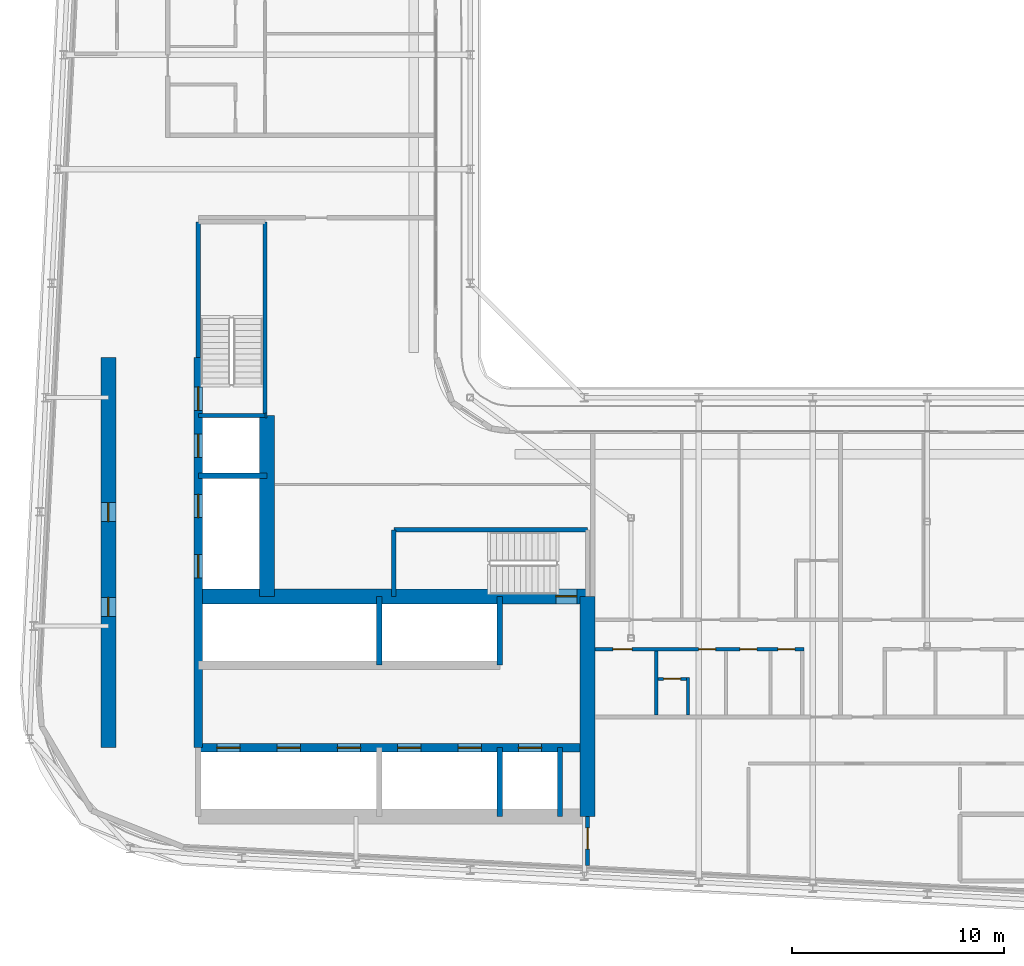
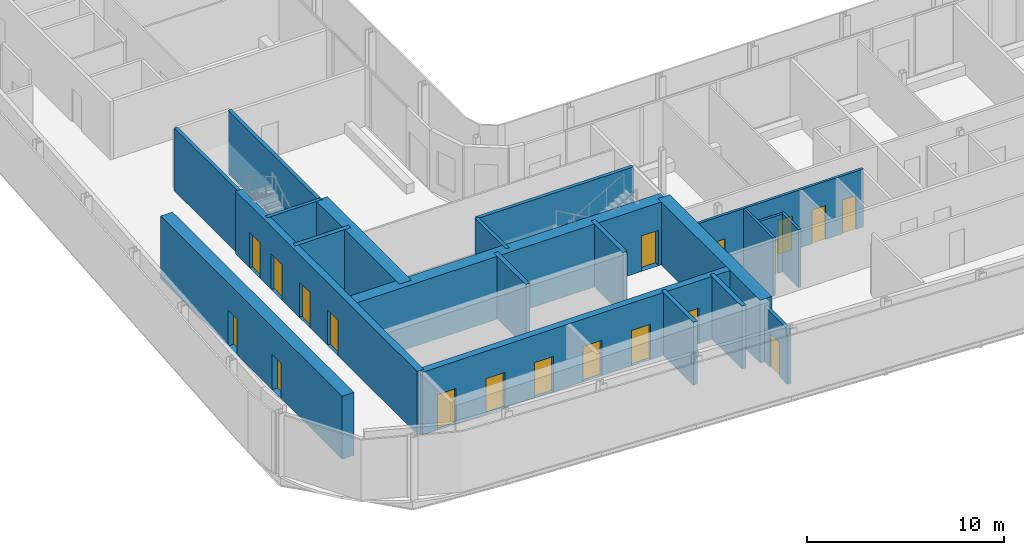
# One storey, part 10 of 21: 22 walls, 19 doors, 19 openings.
"""IFC4 building model written with IfcOpenShell, lengths in metres."""

import ifcopenshell
import ifcopenshell.guid

model = None  # the IFC model being written
_history = None  # IfcOwnerHistory: only IFC2X3 demands one
_inside = {}  # id of a spatial element -> (the spatial element, [elements in it])
_under = {}  # id of a project, library or spatial element -> (it, [spatial elements below it])
_declared = {}  # id of a project -> (the project, [libraries it declares])
_typed = {}  # id of a type object -> (the type object, [elements of that type])
_made_of = {}  # id of a material, layer set ... -> (it, [elements and type objects made of it])


def new_model(schema):
    """Start an empty IFC model of exactly this schema.

    Asked for "IFC4X3", IfcOpenShell would pick the latest addendum, in which some entities
    have other attributes; the version numbers below select the first issue.
    IFC2X3 requires an IfcOwnerHistory on every rooted entity: one is made here for all.
    """
    global model, _history
    if schema == "IFC4X3":
        model = ifcopenshell.file(schema_version=(4, 3, 0, 0))
    else:
        model = ifcopenshell.file(schema=schema)
    _inside.clear()
    _under.clear()
    _declared.clear()
    _typed.clear()
    _made_of.clear()
    _history = None
    if model.schema == "IFC2X3":
        org = make("IfcOrganization", Name="unknown")
        user = make(
            "IfcPersonAndOrganization",
            ThePerson=make("IfcPerson", FamilyName="unknown"),
            TheOrganization=org,
        )
        app = make(
            "IfcApplication",
            ApplicationDeveloper=org,
            Version="unknown",
            ApplicationFullName="unknown",
            ApplicationIdentifier="unknown",
        )
        _history = make(
            "IfcOwnerHistory",
            OwningUser=user,
            OwningApplication=app,
            ChangeAction="ADDED",
            CreationDate=0,
        )
    return model


def make(cls, **values):
    """One entity of the class cls with the attributes given. An attribute that is None is left unset."""
    return model.create_entity(
        cls, **{name: value for name, value in values.items() if value is not None}
    )


def rooted(cls, **values):
    """An entity with a GlobalId (a new one), such as an element, a storey or a relation."""
    return make(cls, GlobalId=ifcopenshell.guid.new(), OwnerHistory=_history, **values)


def si_unit(unit_type, name, prefix=None):
    """IfcSIUnit, for example si_unit("LENGTHUNIT", "METRE", prefix="MILLI")."""
    return make("IfcSIUnit", UnitType=unit_type, Prefix=prefix, Name=name)


def assignment(units):
    """IfcUnitAssignment: the units of a project."""
    return None if units is None else make("IfcUnitAssignment", Units=units)


def point(xyz):
    """IfcCartesianPoint."""
    return None if xyz is None else make("IfcCartesianPoint", Coordinates=xyz)


def direction(xyz):
    """IfcDirection."""
    return None if xyz is None else make("IfcDirection", DirectionRatios=xyz)


def frame(location, z_axis=None, x_axis=None):
    """IfcAxis2Placement3D, a coordinate frame: its origin and axes. An axis left out is left unset."""
    return make(
        "IfcAxis2Placement3D",
        Location=point(location),
        Axis=direction(z_axis),
        RefDirection=direction(x_axis),
    )


def frame_2d(location, x_axis=None):
    """IfcAxis2Placement2D, a coordinate frame in the plane: its origin and x axis."""
    return make(
        "IfcAxis2Placement2D", Location=point(location), RefDirection=direction(x_axis)
    )


def origin():
    """The frame at (0, 0, 0) with its axes left unset."""
    return frame((0.0, 0.0, 0.0))


def place(relative_to, where):
    """IfcLocalPlacement: puts the frame where relative to a parent placement (None: the world)."""
    return make(
        "IfcLocalPlacement", PlacementRelTo=relative_to, RelativePlacement=where
    )


def context(
    kind, dimensions, precision=None, world=None, true_north=None, identifier=None
):
    """IfcGeometricRepresentationContext, for example the 3D "Model" context."""
    return make(
        "IfcGeometricRepresentationContext",
        ContextIdentifier=identifier,
        ContextType=kind,
        CoordinateSpaceDimension=dimensions,
        Precision=precision,
        WorldCoordinateSystem=world,
        TrueNorth=true_north,
    )


def subcontext(parent, identifier, kind, view, scale=None):
    """IfcGeometricRepresentationSubContext, for example "Body" below "Model"."""
    return make(
        "IfcGeometricRepresentationSubContext",
        ContextIdentifier=identifier,
        ContextType=kind,
        ParentContext=parent,
        TargetScale=scale,
        TargetView=view,
    )


def project(units=None, contexts=None):
    """IfcProject with its units and contexts."""
    return rooted(
        "IfcProject",
        Name="project",
        RepresentationContexts=contexts,
        UnitsInContext=assignment(units),
    )


def spatial(cls, under=None, at=None, **own):
    """A site, building, storey or space (cls), placed at a placement, below another one or the project."""
    s = rooted(cls, ObjectPlacement=at, **own)
    if under is not None:
        _under.setdefault(under.id(), (under, []))[1].append(s)
    return s


def profile(cls, at=None, kind="AREA", **sizes):
    """A parametric profile (cls). Its sizes go by their IFC names, for example OverallWidth=200.0."""
    return make(cls, ProfileType=kind, Position=at, **sizes)


def rectangle(**sizes):
    """IfcRectangleProfileDef."""
    return profile("IfcRectangleProfileDef", **sizes)


def extrude(swept, where, along, depth):
    """IfcExtrudedAreaSolid: the profile swept, set in the frame where, extruded along a direction by depth."""
    return make(
        "IfcExtrudedAreaSolid",
        SweptArea=swept,
        Position=where,
        ExtrudedDirection=direction(along),
        Depth=depth,
    )


def shape(context_of_items, identifier, shape_type, items):
    """IfcShapeRepresentation: the items that make up one representation, for example the "Body"."""
    return make(
        "IfcShapeRepresentation",
        ContextOfItems=context_of_items,
        RepresentationIdentifier=identifier,
        RepresentationType=shape_type,
        Items=items,
    )


def source(mapping_origin, context_of_items, identifier, shape_type, items):
    """IfcRepresentationMap: a shape defined once, which mapped items show again and again."""
    return make(
        "IfcRepresentationMap",
        MappingOrigin=mapping_origin,
        MappedRepresentation=shape(context_of_items, identifier, shape_type, items),
    )


def transform(
    local_origin,
    x_axis=None,
    y_axis=None,
    z_axis=None,
    scale=None,
    scale2=None,
    scale3=None,
    uniform=True,
):
    """IfcCartesianTransformationOperator3D, or its non-uniform kind. x_axis, y_axis, z_axis: its Axis1, 2, 3."""
    if uniform:
        return make(
            "IfcCartesianTransformationOperator3D",
            Axis1=direction(x_axis),
            Axis2=direction(y_axis),
            LocalOrigin=point(local_origin),
            Scale=scale,
            Axis3=direction(z_axis),
        )
    return make(
        "IfcCartesianTransformationOperator3DnonUniform",
        Axis1=direction(x_axis),
        Axis2=direction(y_axis),
        LocalOrigin=point(local_origin),
        Scale=scale,
        Axis3=direction(z_axis),
        Scale2=scale2,
        Scale3=scale3,
    )


def mapped(mapping_source, mapping_target):
    """IfcMappedItem: shows the shape of a source again, moved by a transform."""
    return make(
        "IfcMappedItem", MappingSource=mapping_source, MappingTarget=mapping_target
    )


def material(Name=None, Category=None):
    """IfcMaterial."""
    return make("IfcMaterial", Name=Name, Category=Category)


def layer(
    of_material, thickness, ventilated=None, Name=None, Category=None, Priority=None
):
    """IfcMaterialLayer: one layer of a wall or slab, of a material (None: an air gap)."""
    return make(
        "IfcMaterialLayer",
        Material=of_material,
        LayerThickness=thickness,
        IsVentilated=ventilated,
        Name=Name,
        Category=Category,
        Priority=Priority,
    )


def layer_set(layers, Name=None):
    """IfcMaterialLayerSet."""
    return make("IfcMaterialLayerSet", MaterialLayers=layers, LayerSetName=Name)


def made_of(thing, what):
    """Note that an element or type object is made of a material, layer set ...; save() writes the relation."""
    if what is not None:
        _made_of.setdefault(what.id(), (what, []))[1].append(thing)
    return thing


def type_object(cls, material=None, **own):
    """A type object (cls), such as IfcWallType, which elements share."""
    return made_of(rooted(cls, **own), material)


def element(
    cls,
    number,
    at=None,
    inside=None,
    cuts=None,
    type_object=None,
    material=None,
    context=None,
    identifier="Body",
    shape_type=None,
    held_by="IfcProductDefinitionShape",
    body=None,
    shapes=None,
    **own,
):
    """One element of the class cls, such as IfcWall. Its Tag is "e" and its number.

    at: its placement. inside: the storey or other place that contains it. cuts: it is an
    opening in that element (IfcRelVoidsElement). A single representation is given by context,
    identifier, shape_type and body (its items); several are given by shapes. held_by: the class
    of the entity that holds the representations. save() writes the other relations.
    """
    e = rooted(cls, Tag="e%d" % number, ObjectPlacement=at, **own)
    if body is not None:
        shapes = [shape(context, identifier, shape_type, body)]
    if shapes is not None:
        e.Representation = make(held_by, Representations=shapes)
    if inside is not None:
        _inside.setdefault(inside.id(), (inside, []))[1].append(e)
    if cuts is not None:
        rooted(
            "IfcRelVoidsElement", RelatingBuildingElement=cuts, RelatedOpeningElement=e
        )
    if type_object is not None:
        _typed.setdefault(type_object.id(), (type_object, []))[1].append(e)
    return made_of(e, material)


def fill(opening, filler):
    """IfcRelFillsElement: the door or window that sits in an opening."""
    return rooted(
        "IfcRelFillsElement",
        RelatingOpeningElement=opening,
        RelatedBuildingElement=filler,
    )


def aggregate(whole, parts):
    """IfcRelAggregates: a whole, such as a stair, and the parts it consists of."""
    return rooted("IfcRelAggregates", RelatingObject=whole, RelatedObjects=parts)


def save(model, path):
    """Write the relations noted so far, then the file.

    IfcRelAggregates (storeys below a building ...), IfcRelContainedInSpatialStructure (elements
    in a storey), IfcRelDefinesByType, IfcRelAssociatesMaterial and IfcRelDeclares: one each for
    every whole, place, type object, material and project.
    """
    for whole, parts in _under.values():
        aggregate(whole, parts)
    for where, things in _inside.values():
        rooted(
            "IfcRelContainedInSpatialStructure",
            RelatedElements=things,
            RelatingStructure=where,
        )
    for kind, things in _typed.values():
        rooted("IfcRelDefinesByType", RelatedObjects=things, RelatingType=kind)
    for what, things in _made_of.values():
        rooted("IfcRelAssociatesMaterial", RelatedObjects=things, RelatingMaterial=what)
    for by, libraries in _declared.values():
        rooted("IfcRelDeclares", RelatingContext=by, RelatedDefinitions=libraries)
    model.write(path)


model = new_model("IFC4")

# Units and contexts
model_context = context("Model", 3, precision=1e-05, world=origin(), true_north=direction((0.0, 1.0)))
body_context = subcontext(model_context, "Body", "Model", "MODEL_VIEW")
ifc_project = project(units=[si_unit("LENGTHUNIT", "METRE"), si_unit("AREAUNIT", "SQUARE_METRE"), si_unit("VOLUMEUNIT", "CUBIC_METRE"), si_unit("PLANEANGLEUNIT", "RADIAN"), si_unit("MASSUNIT", "GRAM", prefix="KILO")], contexts=[model_context])

# Site, building, storey
site_placement = place(None, origin())
site = spatial("IfcSite", under=ifc_project, at=site_placement, CompositionType="ELEMENT")
building_placement = place(site_placement, origin())
building = spatial("IfcBuilding", under=site, at=building_placement, Name="Kheshtan School and Residences Tower", CompositionType="ELEMENT")
storey_placement = place(building_placement, frame((0.0, 0.0, 220.10009765625)))
storey = spatial("IfcBuildingStorey", under=building, at=storey_placement, Name="L51", CompositionType="ELEMENT", Elevation=220.10009765625)

# Wall, openings, doors
ifc_material_1 = material(Name="Concrete C50/60", Category="concrete")
ifc_layer_1 = layer(ifc_material_1, 0.39990234375)
ifc_layer_set_1 = layer_set([ifc_layer_1], Name="Core wall 400 Concrete C50/60")
wall_type_1 = type_object("IfcWallType", Name="Core wall 400 Concrete C50/60", PredefinedType="SHEAR", material=ifc_layer_set_1)
wall_1_placement = place(storey_placement, frame((34.75, 29.050048828125, 0.0), z_axis=(0.0, 0.0, 1.0), x_axis=(1.0, 0.0, 0.0)))
wall_1 = element("IfcWall", 1, at=wall_1_placement, inside=storey, type_object=wall_type_1, Name="Core wall CW-HALL-S1", PredefinedType="SHEAR", context=body_context, shape_type="SweptSolid", body=[
    extrude(rectangle(XDim=18.39990234375, YDim=0.39990234375, at=frame_2d((9.199951171875, 0.0))), origin(), (0.0, 0.0, 1.0), 3.89990234375),
])
opening_1_placement = place(wall_1_placement, frame((0.875, 0.0, 0.0)))
opening_1 = element("IfcOpeningElement", 2, at=opening_1_placement, cuts=wall_1, Name="Opening LD", PredefinedType="OPENING", context=body_context, shape_type="SweptSolid", body=[
    extrude(rectangle(XDim=1.10009765625, YDim=2.199951171875, at=frame_2d((0.550048828125, 1.10009765625))), frame((0.0, 0.2099609375, 0.0), z_axis=(0.0, -1.0, 0.0), x_axis=(1.0, 0.0, 0.0)), (0.0, 0.0, 1.0), 0.419921875),
])
opening_2_placement = place(wall_1_placement, frame((3.72509765625, 0.0, 0.0)))
opening_2 = element("IfcOpeningElement", 3, at=opening_2_placement, cuts=wall_1, Name="Opening LD", PredefinedType="OPENING", context=body_context, shape_type="SweptSolid", body=[
    extrude(rectangle(XDim=1.10009765625, YDim=2.199951171875, at=frame_2d((0.550048828125, 1.10009765625))), frame((0.0, 0.2099609375, 0.0), z_axis=(0.0, -1.0, 0.0), x_axis=(1.0, 0.0, 0.0)), (0.0, 0.0, 1.0), 0.419921875),
])
opening_3_placement = place(wall_1_placement, frame((6.574951171875, 0.0, 0.0)))
opening_3 = element("IfcOpeningElement", 4, at=opening_3_placement, cuts=wall_1, Name="Opening LD", PredefinedType="OPENING", context=body_context, shape_type="SweptSolid", body=[
    extrude(rectangle(XDim=1.10009765625, YDim=2.199951171875, at=frame_2d((0.550048828125, 1.10009765625))), frame((0.0, 0.2099609375, 0.0), z_axis=(0.0, -1.0, 0.0), x_axis=(1.0, 0.0, 0.0)), (0.0, 0.0, 1.0), 0.419921875),
])
opening_4_placement = place(wall_1_placement, frame((9.425048828125, 0.0, 0.0)))
opening_4 = element("IfcOpeningElement", 5, at=opening_4_placement, cuts=wall_1, Name="Opening LD", PredefinedType="OPENING", context=body_context, shape_type="SweptSolid", body=[
    extrude(rectangle(XDim=1.10009765625, YDim=2.199951171875, at=frame_2d((0.550048828125, 1.10009765625))), frame((0.0, 0.2099609375, 0.0), z_axis=(0.0, -1.0, 0.0), x_axis=(1.0, 0.0, 0.0)), (0.0, 0.0, 1.0), 0.419921875),
])
opening_5_placement = place(wall_1_placement, frame((12.27490234375, 0.0, 0.0)))
opening_5 = element("IfcOpeningElement", 6, at=opening_5_placement, cuts=wall_1, Name="Opening LD", PredefinedType="OPENING", context=body_context, shape_type="SweptSolid", body=[
    extrude(rectangle(XDim=1.10009765625, YDim=2.199951171875, at=frame_2d((0.550048828125, 1.10009765625))), frame((0.0, 0.2099609375, 0.0), z_axis=(0.0, -1.0, 0.0), x_axis=(1.0, 0.0, 0.0)), (0.0, 0.0, 1.0), 0.419921875),
])
opening_6_placement = place(wall_1_placement, frame((15.125, 0.0, 0.0)))
opening_6 = element("IfcOpeningElement", 7, at=opening_6_placement, cuts=wall_1, Name="Opening LD", PredefinedType="OPENING", context=body_context, shape_type="SweptSolid", body=[
    extrude(rectangle(XDim=1.10009765625, YDim=2.199951171875, at=frame_2d((0.550048828125, 1.10009765625))), frame((0.0, 0.2099609375, 0.0), z_axis=(0.0, -1.0, 0.0), x_axis=(1.0, 0.0, 0.0)), (0.0, 0.0, 1.0), 0.419921875),
])
ifc_material_2 = material(Name="Stainless steel door leaves", Category="steel")
door_type_1 = type_object("IfcDoorType", Name="Lift landing door 1100", OperationType="SLIDING_TO_LEFT", PredefinedType="DOOR", material=ifc_material_2)
shared_shape_1 = source(origin(), body_context, "Body", "SweptSolid", [
    extrude(rectangle(XDim=1.10009765625, YDim=2.199951171875, at=frame_2d((0.550048828125, 1.10009765625))), frame((0.0, 0.02490234375, 0.0), z_axis=(0.0, -1.0, 0.0), x_axis=(1.0, 0.0, 0.0)), (0.0, 0.0, 1.0), 0.050048828125),
])
door_1_placement = place(opening_1_placement, origin())
door_1 = element("IfcDoor", 8, at=door_1_placement, inside=storey, type_object=door_type_1, Name="Lift P7 landing door", OperationType="SLIDING_TO_LEFT", OverallHeight=2.199951171875, OverallWidth=1.10009765625, PredefinedType="DOOR", context=body_context, shape_type="MappedRepresentation", body=[
    mapped(shared_shape_1, transform((0.0, 0.0, 0.0), x_axis=(1.0, 0.0, 0.0), y_axis=(0.0, 1.0, 0.0), z_axis=(0.0, 0.0, 1.0), scale=1.0)),
])
fill(opening_1, door_1)
door_2_placement = place(opening_2_placement, origin())
door_2 = element("IfcDoor", 9, at=door_2_placement, inside=storey, type_object=door_type_1, Name="Lift P8 landing door", OperationType="SLIDING_TO_LEFT", OverallHeight=2.199951171875, OverallWidth=1.10009765625, PredefinedType="DOOR", context=body_context, shape_type="MappedRepresentation", body=[
    mapped(shared_shape_1, transform((0.0, 0.0, 0.0), x_axis=(1.0, 0.0, 0.0), y_axis=(0.0, 1.0, 0.0), z_axis=(0.0, 0.0, 1.0), scale=1.0)),
])
fill(opening_2, door_2)
door_3_placement = place(opening_3_placement, origin())
door_3 = element("IfcDoor", 10, at=door_3_placement, inside=storey, type_object=door_type_1, Name="Lift P9 landing door", OperationType="SLIDING_TO_LEFT", OverallHeight=2.199951171875, OverallWidth=1.10009765625, PredefinedType="DOOR", context=body_context, shape_type="MappedRepresentation", body=[
    mapped(shared_shape_1, transform((0.0, 0.0, 0.0), x_axis=(1.0, 0.0, 0.0), y_axis=(0.0, 1.0, 0.0), z_axis=(0.0, 0.0, 1.0), scale=1.0)),
])
fill(opening_3, door_3)
door_4_placement = place(opening_4_placement, origin())
door_4 = element("IfcDoor", 11, at=door_4_placement, inside=storey, type_object=door_type_1, Name="Lift P10 landing door", OperationType="SLIDING_TO_LEFT", OverallHeight=2.199951171875, OverallWidth=1.10009765625, PredefinedType="DOOR", context=body_context, shape_type="MappedRepresentation", body=[
    mapped(shared_shape_1, transform((0.0, 0.0, 0.0), x_axis=(1.0, 0.0, 0.0), y_axis=(0.0, 1.0, 0.0), z_axis=(0.0, 0.0, 1.0), scale=1.0)),
])
fill(opening_4, door_4)
door_5_placement = place(opening_5_placement, origin())
door_5 = element("IfcDoor", 12, at=door_5_placement, inside=storey, type_object=door_type_1, Name="Lift P11 landing door", OperationType="SLIDING_TO_LEFT", OverallHeight=2.199951171875, OverallWidth=1.10009765625, PredefinedType="DOOR", context=body_context, shape_type="MappedRepresentation", body=[
    mapped(shared_shape_1, transform((0.0, 0.0, 0.0), x_axis=(1.0, 0.0, 0.0), y_axis=(0.0, 1.0, 0.0), z_axis=(0.0, 0.0, 1.0), scale=1.0)),
])
fill(opening_5, door_5)
door_6_placement = place(opening_6_placement, origin())
door_6 = element("IfcDoor", 13, at=door_6_placement, inside=storey, type_object=door_type_1, Name="Lift FFL2 landing door", OperationType="SLIDING_TO_LEFT", OverallHeight=2.199951171875, OverallWidth=1.10009765625, PredefinedType="DOOR", context=body_context, shape_type="MappedRepresentation", body=[
    mapped(shared_shape_1, transform((0.0, 0.0, 0.0), x_axis=(1.0, 0.0, 0.0), y_axis=(0.0, 1.0, 0.0), z_axis=(0.0, 0.0, 1.0), scale=1.0)),
])
fill(opening_6, door_6)

wall_2_placement = place(storey_placement, frame((34.75, 29.050048828125, 0.0), z_axis=(0.0, 0.0, 1.0), x_axis=(0.0, 1.0, 0.0)))
wall_2 = element("IfcWall", 14, at=wall_2_placement, inside=storey, type_object=wall_type_1, Name="Core wall CW-HALL-W1", PredefinedType="SHEAR", context=body_context, shape_type="SweptSolid", body=[
    extrude(rectangle(XDim=18.449951171875, YDim=0.39990234375, at=frame_2d((9.22509765625, 0.0))), origin(), (0.0, 0.0, 1.0), 3.89990234375),
])
opening_7_placement = place(wall_2_placement, frame((8.02490234375, 0.0, 0.0)))
opening_7 = element("IfcOpeningElement", 15, at=opening_7_placement, cuts=wall_2, Name="Opening LD", PredefinedType="OPENING", context=body_context, shape_type="SweptSolid", body=[
    extrude(rectangle(XDim=1.10009765625, YDim=2.199951171875, at=frame_2d((0.550048828125, 1.10009765625))), frame((0.0, 0.2099609375, 0.0), z_axis=(0.0, -1.0, 0.0), x_axis=(1.0, 0.0, 0.0)), (0.0, 0.0, 1.0), 0.419921875),
])
opening_8_placement = place(wall_2_placement, frame((10.875, 0.0, 0.0)))
opening_8 = element("IfcOpeningElement", 16, at=opening_8_placement, cuts=wall_2, Name="Opening LD", PredefinedType="OPENING", context=body_context, shape_type="SweptSolid", body=[
    extrude(rectangle(XDim=1.10009765625, YDim=2.199951171875, at=frame_2d((0.550048828125, 1.10009765625))), frame((0.0, 0.2099609375, 0.0), z_axis=(0.0, -1.0, 0.0), x_axis=(1.0, 0.0, 0.0)), (0.0, 0.0, 1.0), 0.419921875),
])
opening_9_placement = place(wall_2_placement, frame((13.72509765625, 0.0, 0.0)))
opening_9 = element("IfcOpeningElement", 17, at=opening_9_placement, cuts=wall_2, Name="Opening LD", PredefinedType="OPENING", context=body_context, shape_type="SweptSolid", body=[
    extrude(rectangle(XDim=1.10009765625, YDim=2.199951171875, at=frame_2d((0.550048828125, 1.10009765625))), frame((0.0, 0.2099609375, 0.0), z_axis=(0.0, -1.0, 0.0), x_axis=(1.0, 0.0, 0.0)), (0.0, 0.0, 1.0), 0.419921875),
])
opening_10_placement = place(wall_2_placement, frame((15.949951171875, 0.0, 0.0)))
opening_10 = element("IfcOpeningElement", 18, at=opening_10_placement, cuts=wall_2, Name="Opening ST2D", PredefinedType="OPENING", context=body_context, shape_type="SweptSolid", body=[
    extrude(rectangle(XDim=1.10009765625, YDim=2.199951171875, at=frame_2d((0.550048828125, 1.10009765625))), frame((0.0, 0.2099609375, 0.0), z_axis=(0.0, -1.0, 0.0), x_axis=(1.0, 0.0, 0.0)), (0.0, 0.0, 1.0), 0.419921875),
])
door_7_placement = place(opening_7_placement, origin())
door_7 = element("IfcDoor", 19, at=door_7_placement, inside=storey, type_object=door_type_1, Name="Lift SV1 landing door", OperationType="SLIDING_TO_LEFT", OverallHeight=2.199951171875, OverallWidth=1.10009765625, PredefinedType="DOOR", context=body_context, shape_type="MappedRepresentation", body=[
    mapped(shared_shape_1, transform((0.0, 0.0, 0.0), x_axis=(1.0, 0.0, 0.0), y_axis=(0.0, 1.0, 0.0), z_axis=(0.0, 0.0, 1.0), scale=1.0)),
])
fill(opening_7, door_7)
door_8_placement = place(opening_8_placement, origin())
door_8 = element("IfcDoor", 20, at=door_8_placement, inside=storey, type_object=door_type_1, Name="Lift SV2 landing door", OperationType="SLIDING_TO_LEFT", OverallHeight=2.199951171875, OverallWidth=1.10009765625, PredefinedType="DOOR", context=body_context, shape_type="MappedRepresentation", body=[
    mapped(shared_shape_1, transform((0.0, 0.0, 0.0), x_axis=(1.0, 0.0, 0.0), y_axis=(0.0, 1.0, 0.0), z_axis=(0.0, 0.0, 1.0), scale=1.0)),
])
fill(opening_8, door_8)
door_9_placement = place(opening_9_placement, origin())
door_9 = element("IfcDoor", 21, at=door_9_placement, inside=storey, type_object=door_type_1, Name="Lift FFL1 landing door", OperationType="SLIDING_TO_LEFT", OverallHeight=2.199951171875, OverallWidth=1.10009765625, PredefinedType="DOOR", context=body_context, shape_type="MappedRepresentation", body=[
    mapped(shared_shape_1, transform((0.0, 0.0, 0.0), x_axis=(1.0, 0.0, 0.0), y_axis=(0.0, 1.0, 0.0), z_axis=(0.0, 0.0, 1.0), scale=1.0)),
])
fill(opening_9, door_9)
ifc_material_3 = material(Name="Steel door leaf, galvanised", Category="steel")
door_type_2 = type_object("IfcDoorType", Name="Stair door 1100 steel 90 min", OperationType="SINGLE_SWING_LEFT", PredefinedType="DOOR", material=ifc_material_3)
shared_shape_2 = source(origin(), body_context, "Body", "SweptSolid", [
    extrude(rectangle(XDim=1.10009765625, YDim=2.199951171875, at=frame_2d((0.550048828125, 1.10009765625))), frame((0.0, 0.02490234375, 0.0), z_axis=(0.0, -1.0, 0.0), x_axis=(1.0, 0.0, 0.0)), (0.0, 0.0, 1.0), 0.050048828125),
])
door_10_placement = place(opening_10_placement, origin())
door_10 = element("IfcDoor", 22, at=door_10_placement, inside=storey, type_object=door_type_2, Name="Stair ST2 door", OperationType="SINGLE_SWING_RIGHT", OverallHeight=2.199951171875, OverallWidth=1.10009765625, PredefinedType="DOOR", context=body_context, shape_type="MappedRepresentation", body=[
    mapped(shared_shape_2, transform((0.0, 0.0, 0.0), x_axis=(1.0, 0.0, 0.0), y_axis=(0.0, 1.0, 0.0), z_axis=(0.0, 0.0, 1.0), scale=1.0)),
])
fill(opening_10, door_10)

# Wall, opening, door
ifc_material_4 = material(Name="Concrete C70/85", Category="concrete")
ifc_layer_2 = layer(ifc_material_4, 0.699951171875)
ifc_layer_set_2 = layer_set([ifc_layer_2], Name="Core wall 700 Concrete C70/85")
wall_type_2 = type_object("IfcWallType", Name="Core wall 700 Concrete C70/85", PredefinedType="SHEAR", material=ifc_layer_set_2)
wall_3_placement = place(storey_placement, frame((34.75, 36.199951171875, 0.0), z_axis=(0.0, 0.0, 1.0), x_axis=(1.0, 0.0, 0.0)))
wall_3 = element("IfcWall", 23, at=wall_3_placement, inside=storey, type_object=wall_type_2, Name="Core wall CW-FRONT-S", PredefinedType="SHEAR", context=body_context, shape_type="SweptSolid", body=[
    extrude(rectangle(XDim=18.39990234375, YDim=0.699951171875, at=frame_2d((9.199951171875, 0.0))), origin(), (0.0, 0.0, 1.0), 3.89990234375),
])
opening_11_placement = place(wall_3_placement, frame((16.89990234375, 0.0, 0.0)))
opening_11 = element("IfcOpeningElement", 24, at=opening_11_placement, cuts=wall_3, Name="Opening ST1D", PredefinedType="OPENING", context=body_context, shape_type="SweptSolid", body=[
    extrude(rectangle(XDim=1.0, YDim=2.199951171875, at=frame_2d((0.5, 1.10009765625))), frame((0.0, 0.35986328125, 0.0), z_axis=(0.0, -1.0, 0.0), x_axis=(1.0, 0.0, 0.0)), (0.0, 0.0, 1.0), 0.719970703125),
])
shared_shape_3 = source(origin(), body_context, "Body", "SweptSolid", [
    extrude(rectangle(XDim=1.0, YDim=2.199951171875, at=frame_2d((0.5, 1.10009765625))), frame((0.0, 0.02490234375, 0.0), z_axis=(0.0, -1.0, 0.0), x_axis=(1.0, 0.0, 0.0)), (0.0, 0.0, 1.0), 0.050048828125),
])
door_11_placement = place(opening_11_placement, origin())
door_11 = element("IfcDoor", 25, at=door_11_placement, inside=storey, type_object=door_type_2, Name="Stair ST1 door", OperationType="SINGLE_SWING_RIGHT", OverallHeight=2.199951171875, OverallWidth=1.0, PredefinedType="DOOR", context=body_context, shape_type="MappedRepresentation", body=[
    mapped(shared_shape_3, transform((0.0, 0.0, 0.0), x_axis=(1.0, 0.0, 0.0), y_axis=(0.0, 1.0, 0.0), z_axis=(0.0, 0.0, 1.0), scale=1.0)),
])
fill(opening_11, door_11)

# Wall
wall_4_placement = place(storey_placement, frame((38.0, 36.199951171875, 0.0), z_axis=(0.0, 0.0, 1.0), x_axis=(0.0, 1.0, 0.0)))
element("IfcWall", 26, at=wall_4_placement, inside=storey, type_object=wall_type_2, Name="Core wall CW-FRONT-W", PredefinedType="SHEAR", context=body_context, shape_type="SweptSolid", body=[
    extrude(rectangle(XDim=8.550048828125, YDim=0.699951171875, at=frame_2d((4.27490234375, 0.0))), origin(), (0.0, 0.0, 1.0), 3.89990234375),
])

# Wall, openings, doors
wall_5_placement = place(storey_placement, frame((30.5, 29.050048828125, 0.0), z_axis=(0.0, 0.0, 1.0), x_axis=(0.0, 1.0, 0.0)))
wall_5 = element("IfcWall", 27, at=wall_5_placement, inside=storey, type_object=wall_type_2, Name="Core wall CW-REAR-W", PredefinedType="SHEAR", context=body_context, shape_type="SweptSolid", body=[
    extrude(rectangle(XDim=18.449951171875, YDim=0.699951171875, at=frame_2d((9.22509765625, 0.0))), origin(), (0.0, 0.0, 1.0), 3.89990234375),
])
opening_12_placement = place(wall_5_placement, frame((6.2099609375, 0.0, 0.0)))
opening_12 = element("IfcOpeningElement", 28, at=opening_12_placement, cuts=wall_5, Name="Opening SR90", PredefinedType="OPENING", context=body_context, shape_type="SweptSolid", body=[
    extrude(rectangle(XDim=0.89990234375, YDim=2.199951171875, at=frame_2d((0.449951171875, 1.10009765625))), frame((0.0, 0.35986328125, 0.0), z_axis=(0.0, -1.0, 0.0), x_axis=(1.0, 0.0, 0.0)), (0.0, 0.0, 1.0), 0.719970703125),
])
opening_13_placement = place(wall_5_placement, frame((10.68408203125, 0.0, 0.0)))
opening_13 = element("IfcOpeningElement", 29, at=opening_13_placement, cuts=wall_5, Name="Opening SR90", PredefinedType="OPENING", context=body_context, shape_type="SweptSolid", body=[
    extrude(rectangle(XDim=0.89990234375, YDim=2.199951171875, at=frame_2d((0.449951171875, 1.10009765625))), frame((0.0, 0.35986328125, 0.0), z_axis=(0.0, -1.0, 0.0), x_axis=(1.0, 0.0, 0.0)), (0.0, 0.0, 1.0), 0.719970703125),
])
door_type_3 = type_object("IfcDoorType", Name="Service room door 900 steel 90 min", OperationType="SINGLE_SWING_LEFT", PredefinedType="DOOR", material=ifc_material_3)
shared_shape_4 = source(origin(), body_context, "Body", "SweptSolid", [
    extrude(rectangle(XDim=0.89990234375, YDim=2.199951171875, at=frame_2d((0.449951171875, 1.10009765625))), frame((0.0, 0.02490234375, 0.0), z_axis=(0.0, -1.0, 0.0), x_axis=(1.0, 0.0, 0.0)), (0.0, 0.0, 1.0), 0.050048828125),
])
door_12_placement = place(opening_12_placement, origin())
door_12 = element("IfcDoor", 30, at=door_12_placement, inside=storey, type_object=door_type_3, Name="Service room door", OperationType="SINGLE_SWING_RIGHT", OverallHeight=2.199951171875, OverallWidth=0.89990234375, PredefinedType="DOOR", context=body_context, shape_type="MappedRepresentation", body=[
    mapped(shared_shape_4, transform((0.0, 0.0, 0.0), x_axis=(1.0, 0.0, 0.0), y_axis=(0.0, 1.0, 0.0), z_axis=(0.0, 0.0, 1.0), scale=1.0)),
])
fill(opening_12, door_12)
door_13_placement = place(opening_13_placement, origin())
door_13 = element("IfcDoor", 31, at=door_13_placement, inside=storey, type_object=door_type_3, Name="Service room door", OperationType="SINGLE_SWING_LEFT", OverallHeight=2.199951171875, OverallWidth=0.89990234375, PredefinedType="DOOR", context=body_context, shape_type="MappedRepresentation", body=[
    mapped(shared_shape_4, transform((0.0, 0.0, 0.0), x_axis=(1.0, 0.0, 0.0), y_axis=(0.0, 1.0, 0.0), z_axis=(0.0, 0.0, 1.0), scale=1.0)),
])
fill(opening_13, door_13)

# Wall
wall_6_placement = place(storey_placement, frame((53.14990234375, 25.800048828125, 0.0), z_axis=(0.0, 0.0, 1.0), x_axis=(0.0, 1.0, 0.0)))
element("IfcWall", 32, at=wall_6_placement, inside=storey, type_object=wall_type_2, Name="Core wall CW-EAST", PredefinedType="SHEAR", context=body_context, shape_type="SweptSolid", body=[
    extrude(rectangle(XDim=10.39990234375, YDim=0.699951171875, at=frame_2d((5.199951171875, 0.0))), origin(), (0.0, 0.0, 1.0), 3.89990234375),
])

# Wall, opening, door
ifc_material_5 = material(Name="Gypsum board on steel studs with fire boards", Category="steel")
ifc_layer_3 = layer(ifc_material_5, 0.199951171875)
ifc_layer_set_3 = layer_set([ifc_layer_3], Name="Corridor wall 200")
wall_type_3 = type_object("IfcWallType", Name="Corridor wall 200", PredefinedType="PARTITIONING", material=ifc_layer_set_3)
wall_7_placement = place(storey_placement, frame((53.14990234375, 23.472412109375, 0.0), z_axis=(0.0, 0.0, 1.0), x_axis=(0.0, 1.0, 0.0)))
wall_7 = element("IfcWall", 33, at=wall_7_placement, inside=storey, type_object=wall_type_3, Name="Partition L51-022", PredefinedType="PARTITIONING", context=body_context, shape_type="SweptSolid", body=[
    extrude(rectangle(XDim=2.32763671875, YDim=0.199951171875, at=frame_2d((1.163818359375, 0.0))), origin(), (0.0, 0.0, 1.0), 3.447021484375),
])
opening_14_placement = place(wall_7_placement, frame((0.784912109375, 0.0, 0.0)))
opening_14 = element("IfcOpeningElement", 34, at=opening_14_placement, cuts=wall_7, Name="Opening D50-036", PredefinedType="OPENING", context=body_context, shape_type="SweptSolid", body=[
    extrude(rectangle(XDim=1.0, YDim=2.10009765625, at=frame_2d((0.5, 1.050048828125))), frame((0.0, 0.10986328125, 0.0), z_axis=(0.0, -1.0, 0.0), x_axis=(1.0, 0.0, 0.0)), (0.0, 0.0, 1.0), 0.219970703125),
])
ifc_material_6 = material(Name="Steel-framed fire-resisting door leaf", Category="steel")
door_type_4 = type_object("IfcDoorType", Name="Fire door FD60 1000 x 2100", OperationType="SINGLE_SWING_LEFT", PredefinedType="DOOR", material=ifc_material_6)
shared_shape_5 = source(origin(), body_context, "Body", "SweptSolid", [
    extrude(rectangle(XDim=1.0, YDim=2.10009765625, at=frame_2d((0.5, 1.050048828125))), frame((0.0, 0.02490234375, 0.0), z_axis=(0.0, -1.0, 0.0), x_axis=(1.0, 0.0, 0.0)), (0.0, 0.0, 1.0), 0.050048828125),
])
door_14_placement = place(opening_14_placement, origin())
door_14 = element("IfcDoor", 35, at=door_14_placement, inside=storey, type_object=door_type_4, Name="Door D50-036", OperationType="SINGLE_SWING_RIGHT", OverallHeight=2.10009765625, OverallWidth=1.0, PredefinedType="DOOR", context=body_context, shape_type="MappedRepresentation", body=[
    mapped(shared_shape_5, transform((0.0, 0.0, 0.0), x_axis=(1.0, 0.0, 0.0), y_axis=(0.0, 1.0, 0.0), z_axis=(0.0, 0.0, 1.0), scale=1.0)),
])
fill(opening_14, door_14)

# Walls
ifc_material_7 = material(Name="Fire-board shaft wall system")
ifc_layer_4 = layer(ifc_material_7, 0.25)
ifc_layer_set_4 = layer_set([ifc_layer_4], Name="Shaft lining wall 250")
wall_type_4 = type_object("IfcWallType", Name="Shaft lining wall 250", PredefinedType="PARTITIONING", material=ifc_layer_set_4)
for number, where, z_axis, x_axis, name in (
    (36, (43.300048828125, 32.949951171875, 0.0), (0.0, 0.0, 1.0), (0.0, 1.0, 0.0), "Shaft lining wall"),
    (37, (49.0, 25.800048828125, 0.0), (0.0, 0.0, 1.0), (0.0, 1.0, 0.0), "Shaft lining wall"),
    (38, (49.0, 32.949951171875, 0.0), (0.0, 0.0, 1.0), (0.0, 1.0, 0.0), "Shaft lining wall"),
    (39, (51.85009765625, 25.800048828125, 0.0), (0.0, 0.0, 1.0), (0.0, 1.0, 0.0), "Shaft lining wall"),
    (40, (34.75, 41.89990234375, 0.0), (0.0, 0.0, 1.0), (1.0, 0.0, 0.0), "Shaft lining wall"),
):
    element("IfcWall", number, at=place(storey_placement, frame(where, z_axis=z_axis, x_axis=x_axis)), inside=storey, type_object=wall_type_4, Name=name, PredefinedType="PARTITIONING", context=body_context, shape_type="SweptSolid", body=[
        extrude(rectangle(XDim=3.25, YDim=0.25, at=frame_2d((1.625, 0.0))), origin(), (0.0, 0.0, 1.0), 3.89990234375),
    ])
wall_8_placement = place(storey_placement, frame((37.89990234375, 44.75, 0.0), z_axis=(0.0, 0.0, 1.0), x_axis=(1.0, 0.0, 0.0)))
element("IfcWall", 41, at=wall_8_placement, inside=storey, type_object=wall_type_4, Name="Shaft lining wall", PredefinedType="PARTITIONING", context=body_context, shape_type="SweptSolid", body=[
    extrude(rectangle(XDim=0.10009765625, YDim=0.25, at=frame_2d((0.050048828125, 0.0))), origin(), (0.0, 0.0, 1.0), 3.89990234375),
])
ifc_material_8 = material(Name="Concrete C40/50", Category="concrete")
ifc_layer_5 = layer(ifc_material_8, 0.199951171875)
ifc_layer_set_5 = layer_set([ifc_layer_5], Name="Stair enclosure wall 200 Concrete C40/50")
wall_type_5 = type_object("IfcWallType", Name="Stair enclosure wall 200 Concrete C40/50", PredefinedType="SHEAR", material=ifc_layer_set_5)
wall_9_placement = place(storey_placement, frame((43.989990234375, 39.35009765625, 0.0), z_axis=(0.0, 0.0, 1.0), x_axis=(1.0, 0.0, 0.0)))
element("IfcWall", 42, at=wall_9_placement, inside=storey, type_object=wall_type_5, Name="Stair enclosure wall ST1", PredefinedType="SHEAR", context=body_context, shape_type="SweptSolid", body=[
    extrude(rectangle(XDim=9.159912109375, YDim=0.199951171875, at=frame_2d((4.580078125, 0.0))), origin(), (0.0, 0.0, 1.0), 3.89990234375),
])
wall_10_placement = place(storey_placement, frame((43.989990234375, 36.199951171875, 0.0), z_axis=(0.0, 0.0, 1.0), x_axis=(0.0, 1.0, 0.0)))
element("IfcWall", 43, at=wall_10_placement, inside=storey, type_object=wall_type_5, Name="Stair enclosure wall ST1", PredefinedType="SHEAR", context=body_context, shape_type="SweptSolid", body=[
    extrude(rectangle(XDim=3.150146484375, YDim=0.199951171875, at=frame_2d((1.5751953125, 0.0))), origin(), (0.0, 0.0, 1.0), 3.89990234375),
])
wall_11_placement = place(storey_placement, frame((34.75, 44.75, 0.0), z_axis=(0.0, 0.0, 1.0), x_axis=(1.0, 0.0, 0.0)))
element("IfcWall", 44, at=wall_11_placement, inside=storey, type_object=wall_type_5, Name="Stair enclosure wall ST2", PredefinedType="SHEAR", context=body_context, shape_type="SweptSolid", body=[
    extrude(rectangle(XDim=3.14990234375, YDim=0.199951171875, at=frame_2d((1.574951171875, 0.0))), origin(), (0.0, 0.0, 1.0), 3.89990234375),
])
wall_12_placement = place(storey_placement, frame((34.75, 47.5, 0.0), z_axis=(0.0, 0.0, 1.0), x_axis=(0.0, 1.0, 0.0)))
element("IfcWall", 45, at=wall_12_placement, inside=storey, type_object=wall_type_5, Name="Stair enclosure wall ST2", PredefinedType="SHEAR", context=body_context, shape_type="SweptSolid", body=[
    extrude(rectangle(XDim=6.409912109375, YDim=0.199951171875, at=frame_2d((3.205078125, 0.0))), origin(), (0.0, 0.0, 1.0), 3.89990234375),
])
wall_13_placement = place(storey_placement, frame((37.89990234375, 44.75, 0.0), z_axis=(0.0, 0.0, 1.0), x_axis=(0.0, 1.0, 0.0)))
element("IfcWall", 46, at=wall_13_placement, inside=storey, type_object=wall_type_5, Name="Stair enclosure wall ST2", PredefinedType="SHEAR", context=body_context, shape_type="SweptSolid", body=[
    extrude(rectangle(XDim=9.159912109375, YDim=0.199951171875, at=frame_2d((4.580078125, 0.0))), origin(), (0.0, 0.0, 1.0), 3.89990234375),
])

# Wall, openings, doors
ifc_material_9 = material(Name="Moisture-resistant gypsum board on steel studs", Category="steel")
ifc_layer_6 = layer(ifc_material_9, 0.14990234375)
ifc_layer_set_6 = layer_set([ifc_layer_6], Name="Wet-room partition 150")
wall_type_6 = type_object("IfcWallType", Name="Wet-room partition 150", PredefinedType="PARTITIONING", material=ifc_layer_set_6)
wall_14_placement = place(storey_placement, frame((53.4990234375, 33.699951171875, 0.0), z_axis=(0.0, 0.0, 1.0), x_axis=(1.0, 0.0, 0.0)))
wall_14 = element("IfcWall", 47, at=wall_14_placement, inside=storey, type_object=wall_type_6, Name="Partition L51-025", PredefinedType="PARTITIONING", context=body_context, shape_type="SweptSolid", body=[
    extrude(rectangle(XDim=9.8759765625, YDim=0.14990234375, at=frame_2d((4.93798828125, 0.0))), origin(), (0.0, 0.0, 1.0), 3.599853515625),
])
opening_15_placement = place(wall_14_placement, frame((6.85107421875, 0.0, 0.0)))
opening_15 = element("IfcOpeningElement", 48, at=opening_15_placement, cuts=wall_14, Name="Opening D50-001", PredefinedType="OPENING", context=body_context, shape_type="SweptSolid", body=[
    extrude(rectangle(XDim=0.800048828125, YDim=2.10009765625, at=frame_2d((0.39990234375, 1.050048828125))), frame((0.0, 0.0849609375, 0.0), z_axis=(0.0, -1.0, 0.0), x_axis=(1.0, 0.0, 0.0)), (0.0, 0.0, 1.0), 0.169921875),
])
opening_16_placement = place(wall_14_placement, frame((0.85107421875, 0.0, 0.0)))
opening_16 = element("IfcOpeningElement", 49, at=opening_16_placement, cuts=wall_14, Name="Opening D50-005", PredefinedType="OPENING", context=body_context, shape_type="SweptSolid", body=[
    extrude(rectangle(XDim=0.89990234375, YDim=2.10009765625, at=frame_2d((0.449951171875, 1.050048828125))), frame((0.0, 0.0849609375, 0.0), z_axis=(0.0, -1.0, 0.0), x_axis=(1.0, 0.0, 0.0)), (0.0, 0.0, 1.0), 0.169921875),
])
opening_17_placement = place(wall_14_placement, frame((4.90087890625, 0.0, 0.0)))
opening_17 = element("IfcOpeningElement", 50, at=opening_17_placement, cuts=wall_14, Name="Opening D50-007", PredefinedType="OPENING", context=body_context, shape_type="SweptSolid", body=[
    extrude(rectangle(XDim=0.800048828125, YDim=2.10009765625, at=frame_2d((0.39990234375, 1.050048828125))), frame((0.0, 0.0849609375, 0.0), z_axis=(0.0, -1.0, 0.0), x_axis=(1.0, 0.0, 0.0)), (0.0, 0.0, 1.0), 0.169921875),
])
opening_18_placement = place(wall_14_placement, frame((8.65087890625, 0.0, 0.0)))
opening_18 = element("IfcOpeningElement", 51, at=opening_18_placement, cuts=wall_14, Name="Opening D50-010", PredefinedType="OPENING", context=body_context, shape_type="SweptSolid", body=[
    extrude(rectangle(XDim=0.800048828125, YDim=2.10009765625, at=frame_2d((0.39990234375, 1.050048828125))), frame((0.0, 0.0849609375, 0.0), z_axis=(0.0, -1.0, 0.0), x_axis=(1.0, 0.0, 0.0)), (0.0, 0.0, 1.0), 0.169921875),
])
ifc_material_10 = material(Name="Veneered timber door leaf", Category="wood")
door_type_5 = type_object("IfcDoorType", Name="Door 800 x 2100", OperationType="SINGLE_SWING_LEFT", PredefinedType="DOOR", material=ifc_material_10)
shared_shape_6 = source(origin(), body_context, "Body", "SweptSolid", [
    extrude(rectangle(XDim=0.800048828125, YDim=2.10009765625, at=frame_2d((0.39990234375, 1.050048828125))), frame((0.0, 0.02490234375, 0.0), z_axis=(0.0, -1.0, 0.0), x_axis=(1.0, 0.0, 0.0)), (0.0, 0.0, 1.0), 0.050048828125),
])
door_15_placement = place(opening_15_placement, origin())
door_15 = element("IfcDoor", 52, at=door_15_placement, inside=storey, type_object=door_type_5, Name="Door D50-001", OperationType="SINGLE_SWING_RIGHT", OverallHeight=2.10009765625, OverallWidth=0.800048828125, PredefinedType="DOOR", context=body_context, shape_type="MappedRepresentation", body=[
    mapped(shared_shape_6, transform((0.0, 0.0, 0.0), x_axis=(1.0, 0.0, 0.0), y_axis=(0.0, 1.0, 0.0), z_axis=(0.0, 0.0, 1.0), scale=1.0)),
])
fill(opening_15, door_15)
door_16_placement = place(opening_17_placement, origin())
door_16 = element("IfcDoor", 53, at=door_16_placement, inside=storey, type_object=door_type_5, Name="Door D50-007", OperationType="SINGLE_SWING_LEFT", OverallHeight=2.10009765625, OverallWidth=0.800048828125, PredefinedType="DOOR", context=body_context, shape_type="MappedRepresentation", body=[
    mapped(shared_shape_6, transform((0.0, 0.0, 0.0), x_axis=(1.0, 0.0, 0.0), y_axis=(0.0, 1.0, 0.0), z_axis=(0.0, 0.0, 1.0), scale=1.0)),
])
fill(opening_17, door_16)
door_17_placement = place(opening_18_placement, origin())
door_17 = element("IfcDoor", 54, at=door_17_placement, inside=storey, type_object=door_type_5, Name="Door D50-010", OperationType="SINGLE_SWING_RIGHT", OverallHeight=2.10009765625, OverallWidth=0.800048828125, PredefinedType="DOOR", context=body_context, shape_type="MappedRepresentation", body=[
    mapped(shared_shape_6, transform((0.0, 0.0, 0.0), x_axis=(1.0, 0.0, 0.0), y_axis=(0.0, 1.0, 0.0), z_axis=(0.0, 0.0, 1.0), scale=1.0)),
])
fill(opening_18, door_17)
door_type_6 = type_object("IfcDoorType", Name="Door 900 x 2100", OperationType="SINGLE_SWING_LEFT", PredefinedType="DOOR", material=ifc_material_10)
shared_shape_7 = source(origin(), body_context, "Body", "SweptSolid", [
    extrude(rectangle(XDim=0.89990234375, YDim=2.10009765625, at=frame_2d((0.449951171875, 1.050048828125))), frame((0.0, 0.02490234375, 0.0), z_axis=(0.0, -1.0, 0.0), x_axis=(1.0, 0.0, 0.0)), (0.0, 0.0, 1.0), 0.050048828125),
])
door_18_placement = place(opening_16_placement, origin())
door_18 = element("IfcDoor", 55, at=door_18_placement, inside=storey, type_object=door_type_6, Name="Door D50-005", OperationType="SINGLE_SWING_RIGHT", OverallHeight=2.10009765625, OverallWidth=0.89990234375, PredefinedType="DOOR", context=body_context, shape_type="MappedRepresentation", body=[
    mapped(shared_shape_7, transform((0.0, 0.0, 0.0), x_axis=(1.0, 0.0, 0.0), y_axis=(0.0, 1.0, 0.0), z_axis=(0.0, 0.0, 1.0), scale=1.0)),
])
fill(opening_16, door_18)

# Wall
wall_15_placement = place(storey_placement, frame((56.39990234375, 30.60009765625, 0.0), z_axis=(0.0, 0.0, 1.0), x_axis=(0.0, 1.0, 0.0)))
element("IfcWall", 56, at=wall_15_placement, inside=storey, type_object=wall_type_6, Name="Partition L51-027", PredefinedType="PARTITIONING", context=body_context, shape_type="SweptSolid", body=[
    extrude(rectangle(XDim=3.02490234375, YDim=0.14990234375, at=frame_2d((1.512451171875, 0.0))), origin(), (0.0, 0.0, 1.0), 3.599853515625),
])

# Wall, opening, door
wall_16_placement = place(storey_placement, frame((56.47509765625, 32.300048828125, 0.0), z_axis=(0.0, 0.0, 1.0), x_axis=(1.0, 0.0, 0.0)))
wall_16 = element("IfcWall", 57, at=wall_16_placement, inside=storey, type_object=wall_type_6, Name="Partition L51-028", PredefinedType="PARTITIONING", context=body_context, shape_type="SweptSolid", body=[
    extrude(rectangle(XDim=1.349853515625, YDim=0.14990234375, at=frame_2d((0.6748046875, 0.0))), origin(), (0.0, 0.0, 1.0), 3.599853515625),
])
opening_19_placement = place(wall_16_placement, frame((0.27490234375, 0.0, 0.0)))
opening_19 = element("IfcOpeningElement", 58, at=opening_19_placement, cuts=wall_16, Name="Opening D50-008", PredefinedType="OPENING", context=body_context, shape_type="SweptSolid", body=[
    extrude(rectangle(XDim=0.800048828125, YDim=2.10009765625, at=frame_2d((0.39990234375, 1.050048828125))), frame((0.0, 0.0849609375, 0.0), z_axis=(0.0, -1.0, 0.0), x_axis=(1.0, 0.0, 0.0)), (0.0, 0.0, 1.0), 0.169921875),
])
door_19_placement = place(opening_19_placement, origin())
door_19 = element("IfcDoor", 59, at=door_19_placement, inside=storey, type_object=door_type_5, Name="Door D50-008", OperationType="SINGLE_SWING_RIGHT", OverallHeight=2.10009765625, OverallWidth=0.800048828125, PredefinedType="DOOR", context=body_context, shape_type="MappedRepresentation", body=[
    mapped(shared_shape_6, transform((0.0, 0.0, 0.0), x_axis=(1.0, 0.0, 0.0), y_axis=(0.0, 1.0, 0.0), z_axis=(0.0, 0.0, 1.0), scale=1.0)),
])
fill(opening_19, door_19)

# Wall
wall_17_placement = place(storey_placement, frame((57.89990234375, 30.60009765625, 0.0), z_axis=(0.0, 0.0, 1.0), x_axis=(0.0, 1.0, 0.0)))
element("IfcWall", 60, at=wall_17_placement, inside=storey, type_object=wall_type_6, Name="Partition L51-030", PredefinedType="PARTITIONING", context=body_context, shape_type="SweptSolid", body=[
    extrude(rectangle(XDim=1.77490234375, YDim=0.14990234375, at=frame_2d((0.887451171875, 0.0))), origin(), (0.0, 0.0, 1.0), 3.599853515625),
])

save(model, "model.ifc")
